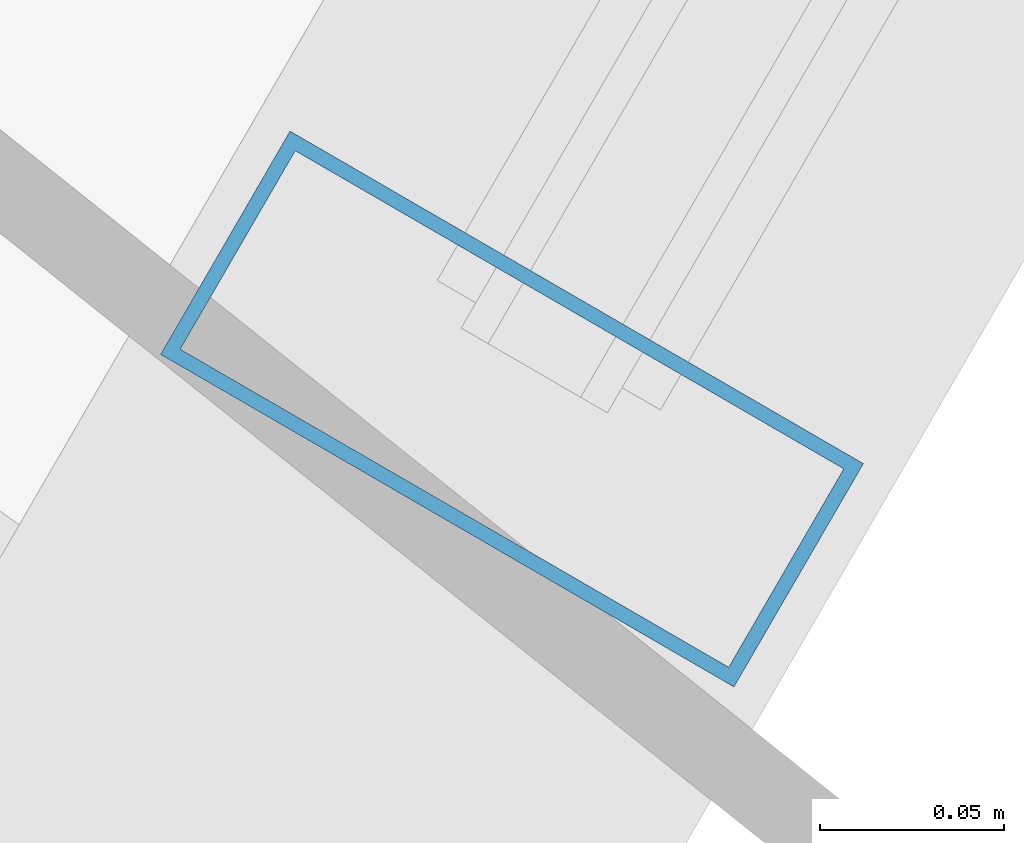
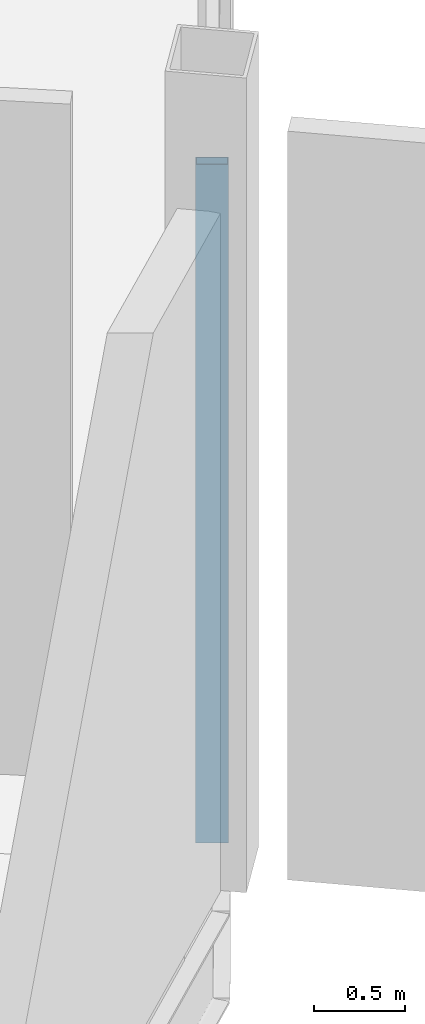
# One storey, part 59 of 186: 1 member, 1 element without a shape of its own.
"""IFC4 building model written with IfcOpenShell, lengths in metres."""

from ifc_helpers import new_model, si_unit, direction, frame, origin, origin_2d, place, context, subcontext, project, spatial, hollow_rectangle, extrude, material, layer, layer_set, material_profile, profile_set, type_object, element, aggregate, save


model = new_model("IFC4")

# Units and contexts
model_context = context("Model", 3, precision=1e-05, world=origin(), true_north=direction((0.0, 1.0)))
body_context = subcontext(model_context, "Body", "Model", "MODEL_VIEW")
ifc_project = project(units=[si_unit("LENGTHUNIT", "METRE"), si_unit("AREAUNIT", "SQUARE_METRE"), si_unit("VOLUMEUNIT", "CUBIC_METRE"), si_unit("PLANEANGLEUNIT", "RADIAN"), si_unit("MASSUNIT", "GRAM", prefix="KILO")], contexts=[model_context])

# Site, building, storey
site_placement = place(None, origin())
site = spatial("IfcSite", under=ifc_project, at=site_placement, CompositionType="ELEMENT")
building_placement = place(site_placement, origin())
building = spatial("IfcBuilding", under=site, at=building_placement, Name="Kazemori Nagisa Stadium", CompositionType="ELEMENT")
storey_placement = place(building_placement, frame((0.0, 0.0, 20.39990234375)))
storey = spatial("IfcBuildingStorey", under=building, at=storey_placement, Name="L04", CompositionType="ELEMENT", Elevation=20.39990234375)

# Curtain wall, member
ifc_material_1 = material(Name="Anodised aluminium 6063-T5", Category="aluminium")
ifc_layer = layer(ifc_material_1, 0.179931640625, Name="Anodised aluminium 6063-T5", Category="aluminium")
ifc_layer_set = layer_set([ifc_layer], Name="Anodised aluminium 6063-T5")
curtain_wall_type = type_object("IfcCurtainWallType", Name="CW_L04R3_101", PredefinedType="USERDEFINED", material=ifc_layer_set)
curtain_wall_placement = place(storey_placement, origin())
curtain_wall = element("IfcCurtainWall", 1, at=curtain_wall_placement, inside=storey, type_object=curtain_wall_type, Name="Unitised curtain wall CW-L04R3-101 L04", ObjectType="UNITISED CURTAIN WALL", PredefinedType="USERDEFINED")
ifc_material_2 = material(Name="Aluminium 6063-T5 anodised", Category="aluminium")
ifc_material_profile = material_profile(ifc_material_2, hollow_rectangle(XDim=0.070068359375, YDim=0.179931640625, WallThickness=0.00390625, at=origin_2d()), Name="ALU-MULL-70x180x4")
ifc_profile_set = profile_set([ifc_material_profile], Name="Aluminium 6063-T5 anodised")
member_type = type_object("IfcMemberType", Name="Mullion_M01", PredefinedType="MULLION", material=ifc_profile_set)
member_placement = place(storey_placement, frame((201.623291015625, 45.552978515625, 0.0), z_axis=(0.0, 0.0, 1.0), x_axis=(0.501611590054, 0.865092950337, 0.0)))
member = element("IfcMember", 2, at=member_placement, type_object=member_type, Name="Curtain wall mullion CW-L04R3-101-M1", PredefinedType="MULLION", context=body_context, shape_type="SweptSolid", body=[
    extrude(hollow_rectangle(XDim=0.070068359375, YDim=0.179931640625, WallThickness=0.00390625, at=origin_2d()), origin(), (0.0, 0.0, 1.0), 4.530029296875),
])
aggregate(curtain_wall, [member])

save(model, "model.ifc")
